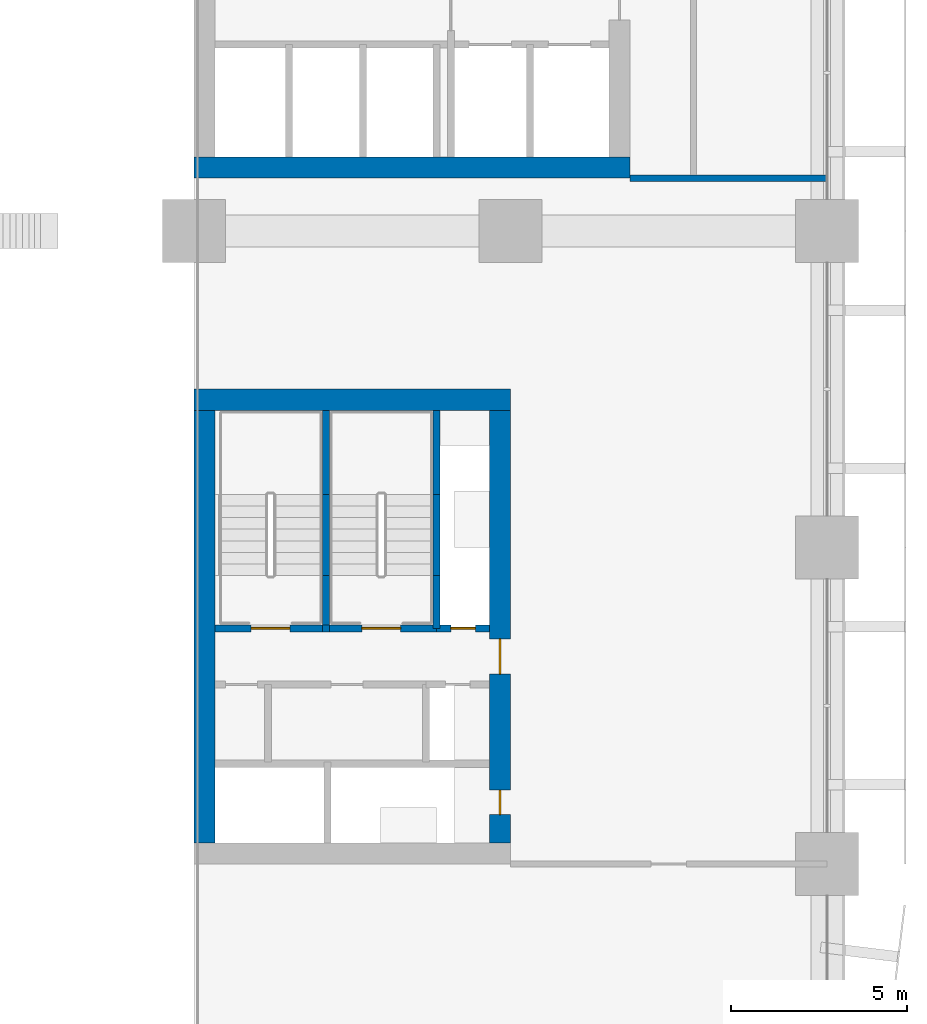
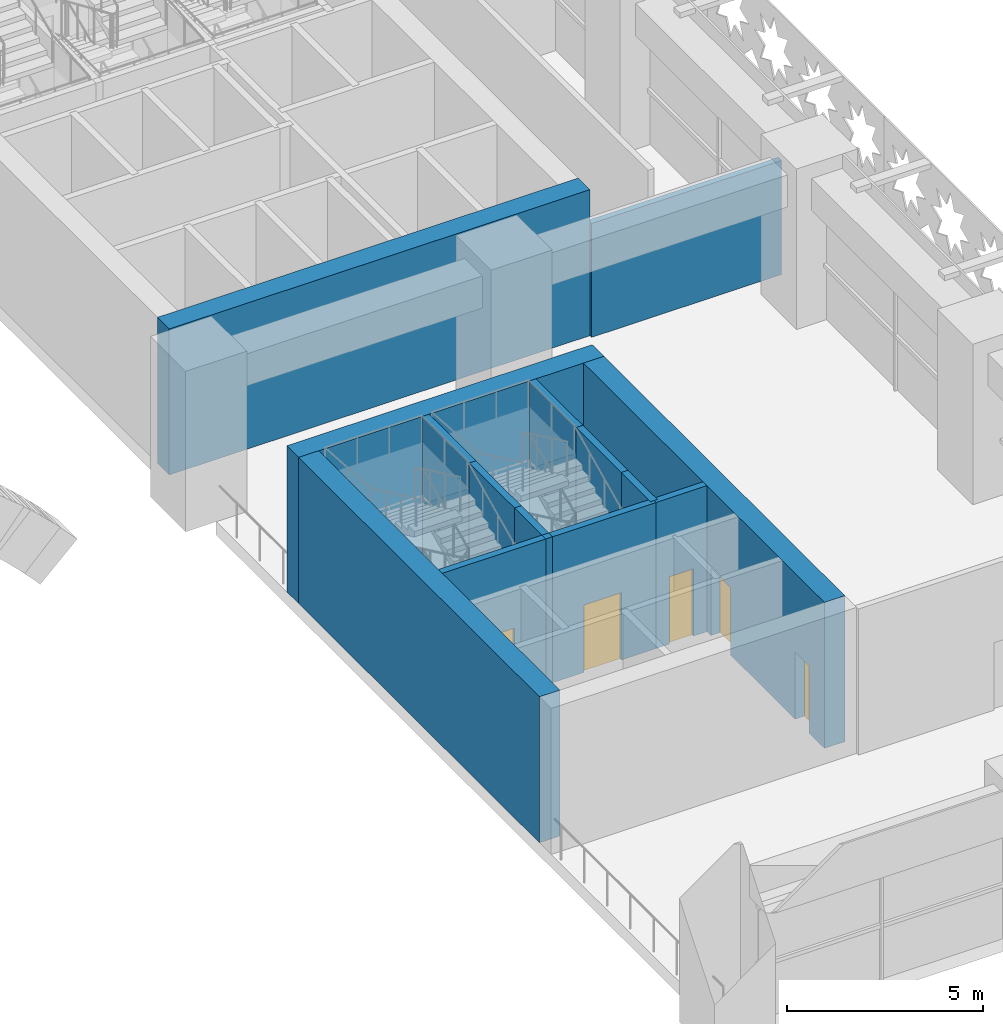
# One storey, part 18 of 40: 15 walls, 5 doors, 5 openings.
"""IFC4 building model written with IfcOpenShell, lengths in metres."""

from ifc_helpers import new_model, si_unit, direction, frame, frame_2d, origin, place, context, subcontext, project, spatial, rectangle, extrude, material, layer, layer_set, type_object, element, fill, save


model = new_model("IFC4")

# Units and contexts
model_context = context("Model", 3, precision=1e-05, world=origin(), true_north=direction((0.0, 1.0)))
body_context = subcontext(model_context, "Body", "Model", "MODEL_VIEW")
ifc_project = project(units=[si_unit("LENGTHUNIT", "METRE"), si_unit("AREAUNIT", "SQUARE_METRE"), si_unit("VOLUMEUNIT", "CUBIC_METRE"), si_unit("PLANEANGLEUNIT", "RADIAN"), si_unit("MASSUNIT", "GRAM", prefix="KILO")], contexts=[model_context])

# Site, building, storey
site_placement = place(None, origin())
site = spatial("IfcSite", under=ifc_project, at=site_placement, CompositionType="ELEMENT")
building_placement = place(site_placement, origin())
building = spatial("IfcBuilding", under=site, at=building_placement, Name="Tessera Arch", CompositionType="ELEMENT")
storey_placement = place(building_placement, frame((0.0, 0.0, 21.0)))
storey = spatial("IfcBuildingStorey", under=building, at=storey_placement, Name="L03", CompositionType="ELEMENT", Elevation=21.0)

# Walls
ifc_material_1 = material(Name="Concrete C70/85", Category="concrete")
ifc_layer_1 = layer(ifc_material_1, 0.60009765625)
ifc_layer_set_1 = layer_set([ifc_layer_1], Name="Core shell wall 600 C70-85")
wall_type_1 = type_object("IfcWallType", Name="Core shell wall 600 C70-85", PredefinedType="SHEAR", material=ifc_layer_set_1)
wall_1_placement = place(storey_placement, frame((36.0, 28.800048828125, 0.0), z_axis=(0.0, 0.0, 1.0), x_axis=(1.0, 0.0, 0.0)))
element("IfcWall", 1, at=wall_1_placement, inside=storey, type_object=wall_type_1, Name="L03 C1 core wall S", PredefinedType="SHEAR", context=body_context, shape_type="SweptSolid", body=[
    extrude(rectangle(XDim=12.39990234375, YDim=0.60009765625, at=frame_2d((6.199951171875, 0.0))), origin(), (0.0, 0.0, 1.0), 4.550048828125),
])
wall_2_placement = place(storey_placement, frame((36.0, 22.199951171875, 0.0), z_axis=(0.0, 0.0, 1.0), x_axis=(1.0, 0.0, 0.0)))
element("IfcWall", 2, at=wall_2_placement, inside=storey, type_object=wall_type_1, Name="L03 C3 core wall N", PredefinedType="SHEAR", context=body_context, shape_type="SweptSolid", body=[
    extrude(rectangle(XDim=9.0, YDim=0.60009765625, at=frame_2d((4.5, 0.0))), origin(), (0.0, 0.0, 1.0), 4.550048828125),
])
wall_3_placement = place(storey_placement, frame((36.300048828125, 9.60009765625, 0.0), z_axis=(0.0, 0.0, 1.0), x_axis=(0.0, 1.0, 0.0)))
element("IfcWall", 3, at=wall_3_placement, inside=storey, type_object=wall_type_1, Name="L03 C3 core wall W", PredefinedType="SHEAR", context=body_context, shape_type="SweptSolid", body=[
    extrude(rectangle(XDim=12.2998046875, YDim=0.60009765625, at=frame_2d((6.14990234375, 0.0))), origin(), (0.0, 0.0, 1.0), 4.550048828125),
])

# Wall, openings, doors
wall_4_placement = place(storey_placement, frame((44.699951171875, 9.60009765625, 0.0), z_axis=(0.0, 0.0, 1.0), x_axis=(0.0, 1.0, 0.0)))
wall_4 = element("IfcWall", 4, at=wall_4_placement, inside=storey, type_object=wall_type_1, Name="L03 C3 core wall E", PredefinedType="SHEAR", context=body_context, shape_type="SweptSolid", body=[
    extrude(rectangle(XDim=12.2998046875, YDim=0.60009765625, at=frame_2d((6.14990234375, 0.0))), origin(), (0.0, 0.0, 1.0), 4.550048828125),
])
opening_1_placement = place(wall_4_placement, frame((0.800048828125, 0.0, 0.0)))
opening_1 = element("IfcOpeningElement", 5, at=opening_1_placement, cuts=wall_4, Name="Opening L03-C33", PredefinedType="OPENING", context=body_context, shape_type="SweptSolid", body=[
    extrude(rectangle(XDim=0.699951171875, YDim=2.10009765625, at=frame_2d((0.35009765625, 1.050048828125))), frame((0.0, 0.31005859375, 0.0), z_axis=(0.0, -1.0, 0.0), x_axis=(1.0, 0.0, 0.0)), (0.0, 0.0, 1.0), 0.6201171875),
])
opening_2_placement = place(wall_4_placement, frame((4.800048828125, 0.0, 0.0)))
opening_2 = element("IfcOpeningElement", 6, at=opening_2_placement, cuts=wall_4, Name="Opening L03-C34", PredefinedType="OPENING", context=body_context, shape_type="SweptSolid", body=[
    extrude(rectangle(XDim=1.0, YDim=2.10009765625, at=frame_2d((0.5, 1.050048828125))), frame((0.0, 0.31005859375, 0.0), z_axis=(0.0, -1.0, 0.0), x_axis=(1.0, 0.0, 0.0)), (0.0, 0.0, 1.0), 0.6201171875),
])
ifc_material_2 = material(Name="Steel door leaf", Category="steel")
door_type_1 = type_object("IfcDoorType", Name="Corridor door FD60 1000 x 2100", OperationType="SINGLE_SWING_LEFT", PredefinedType="DOOR", material=ifc_material_2)
door_1_placement = place(opening_2_placement, origin())
door_1 = element("IfcDoor", 7, at=door_1_placement, inside=storey, type_object=door_type_1, Name="L03 C3 door 6 C34 type D12", OperationType="SINGLE_SWING_LEFT", OverallHeight=2.10009765625, OverallWidth=1.0, PredefinedType="DOOR", context=body_context, shape_type="SweptSolid", body=[
    extrude(rectangle(XDim=1.0, YDim=2.10009765625, at=frame_2d((0.5, 1.050048828125))), frame((0.0, 0.02490234375, 0.0), z_axis=(0.0, -1.0, 0.0), x_axis=(1.0, 0.0, 0.0)), (0.0, 0.0, 1.0), 0.050048828125),
])
fill(opening_2, door_1)
ifc_material_3 = material(Name="Steel door leaf", Category="steel")
door_type_2 = type_object("IfcDoorType", Name="Service shaft door FD60 700 x 2100", OperationType="SINGLE_SWING_LEFT", PredefinedType="DOOR", material=ifc_material_3)
door_2_placement = place(opening_1_placement, origin())
door_2 = element("IfcDoor", 8, at=door_2_placement, inside=storey, type_object=door_type_2, Name="L03 C3 door 5 C33 type D07", OperationType="SINGLE_SWING_LEFT", OverallHeight=2.10009765625, OverallWidth=0.699951171875, PredefinedType="DOOR", context=body_context, shape_type="SweptSolid", body=[
    extrude(rectangle(XDim=0.699951171875, YDim=2.10009765625, at=frame_2d((0.35009765625, 1.050048828125))), frame((0.0, 0.02490234375, 0.0), z_axis=(0.0, -1.0, 0.0), x_axis=(1.0, 0.0, 0.0)), (0.0, 0.0, 1.0), 0.050048828125),
])
fill(opening_1, door_2)

# Wall
ifc_material_4 = material(Name="Gypsum board on deep steel stud with mineral wool", Category="steel")
ifc_layer_2 = layer(ifc_material_4, 0.175048828125)
ifc_layer_set_2 = layer_set([ifc_layer_2], Name="Corridor wall 175 EI 60")
wall_type_2 = type_object("IfcWallType", Name="Corridor wall 175 EI 60", PredefinedType="PARTITIONING", material=ifc_layer_set_2)
wall_5_placement = place(storey_placement, frame((48.39990234375, 28.5, 0.0), z_axis=(0.0, 0.0, 1.0), x_axis=(1.0, 0.0, 0.0)))
element("IfcWall", 9, at=wall_5_placement, inside=storey, type_object=wall_type_2, Name="L03 partition 8", PredefinedType="PARTITIONING", context=body_context, shape_type="SweptSolid", body=[
    extrude(rectangle(XDim=5.60009765625, YDim=0.175048828125, at=frame_2d((2.800048828125, 0.0))), origin(), (0.0, 0.0, 1.0), 3.550048828125),
])

# Wall, opening, door
ifc_material_5 = material(Name="Concrete C40/50", Category="concrete")
ifc_layer_3 = layer(ifc_material_5, 0.199951171875)
ifc_layer_set_3 = layer_set([ifc_layer_3], Name="Shaft wall 200 EI 120")
wall_type_3 = type_object("IfcWallType", Name="Shaft wall 200 EI 120", PredefinedType="SOLIDWALL", material=ifc_layer_set_3)
wall_6_placement = place(storey_placement, frame((42.89990234375, 15.699951171875, 0.0), z_axis=(0.0, 0.0, 1.0), x_axis=(1.0, 0.0, 0.0)))
wall_6 = element("IfcWall", 10, at=wall_6_placement, inside=storey, type_object=wall_type_3, Name="L03 C3 shaft wall 13", PredefinedType="SOLIDWALL", context=body_context, shape_type="SweptSolid", body=[
    extrude(rectangle(XDim=1.5, YDim=0.199951171875, at=frame_2d((0.75, 0.0))), origin(), (0.0, 0.0, 1.0), 4.550048828125),
])
opening_3_placement = place(wall_6_placement, frame((0.39990234375, 0.0, 0.0)))
opening_3 = element("IfcOpeningElement", 11, at=opening_3_placement, cuts=wall_6, Name="Opening L03-C31", PredefinedType="OPENING", context=body_context, shape_type="SweptSolid", body=[
    extrude(rectangle(XDim=0.699951171875, YDim=2.10009765625, at=frame_2d((0.35009765625, 1.050048828125))), frame((0.0, 0.10986328125, 0.0), z_axis=(0.0, -1.0, 0.0), x_axis=(1.0, 0.0, 0.0)), (0.0, 0.0, 1.0), 0.219970703125),
])
door_3_placement = place(opening_3_placement, origin())
door_3 = element("IfcDoor", 12, at=door_3_placement, inside=storey, type_object=door_type_2, Name="L03 C3 door 3 C31 type D07", OperationType="SINGLE_SWING_LEFT", OverallHeight=2.10009765625, OverallWidth=0.699951171875, PredefinedType="DOOR", context=body_context, shape_type="SweptSolid", body=[
    extrude(rectangle(XDim=0.699951171875, YDim=2.10009765625, at=frame_2d((0.35009765625, 1.050048828125))), frame((0.0, 0.02490234375, 0.0), z_axis=(0.0, -1.0, 0.0), x_axis=(1.0, 0.0, 0.0)), (0.0, 0.0, 1.0), 0.050048828125),
])
fill(opening_3, door_3)

# Walls
ifc_material_6 = material(Name="Concrete C40/50", Category="concrete")
ifc_layer_4 = layer(ifc_material_6, 0.199951171875)
ifc_layer_set_4 = layer_set([ifc_layer_4], Name="Stair well wall 200 REI 180")
wall_type_4 = type_object("IfcWallType", Name="Stair well wall 200 REI 180", PredefinedType="SOLIDWALL", material=ifc_layer_set_4)
wall_7_placement = place(storey_placement, frame((39.75, 15.699951171875, 0.0), z_axis=(0.0, 0.0, 1.0), x_axis=(0.0, 1.0, 0.0)))
element("IfcWall", 13, at=wall_7_placement, inside=storey, type_object=wall_type_4, Name="L03 C3 shaft wall 2", PredefinedType="SOLIDWALL", context=body_context, shape_type="SweptSolid", body=[
    extrude(rectangle(XDim=1.5, YDim=0.199951171875, at=frame_2d((0.75, 0.0))), origin(), (0.0, 0.0, 1.0), 4.550048828125),
])
wall_8_placement = place(storey_placement, frame((39.75, 17.199951171875, 0.0), z_axis=(0.0, 0.0, 1.0), x_axis=(0.0, 1.0, 0.0)))
element("IfcWall", 14, at=wall_8_placement, inside=storey, type_object=wall_type_4, Name="L03 C3 shaft wall 3", PredefinedType="SOLIDWALL", context=body_context, shape_type="SweptSolid", body=[
    extrude(rectangle(XDim=2.31005859375, YDim=0.199951171875, at=frame_2d((1.155029296875, 0.0))), origin(), (0.0, 0.0, 1.0), 4.550048828125),
])
wall_9_placement = place(storey_placement, frame((39.75, 19.510009765625, 0.0), z_axis=(0.0, 0.0, 1.0), x_axis=(0.0, 1.0, 0.0)))
element("IfcWall", 15, at=wall_9_placement, inside=storey, type_object=wall_type_4, Name="L03 C3 shaft wall 4", PredefinedType="SOLIDWALL", context=body_context, shape_type="SweptSolid", body=[
    extrude(rectangle(XDim=2.389892578125, YDim=0.199951171875, at=frame_2d((1.19482421875, 0.0))), origin(), (0.0, 0.0, 1.0), 4.550048828125),
])
wall_10_placement = place(storey_placement, frame((42.89990234375, 15.699951171875, 0.0), z_axis=(0.0, 0.0, 1.0), x_axis=(0.0, 1.0, 0.0)))
element("IfcWall", 16, at=wall_10_placement, inside=storey, type_object=wall_type_4, Name="L03 C3 shaft wall 7", PredefinedType="SOLIDWALL", context=body_context, shape_type="SweptSolid", body=[
    extrude(rectangle(XDim=1.5, YDim=0.199951171875, at=frame_2d((0.75, 0.0))), origin(), (0.0, 0.0, 1.0), 4.550048828125),
])
wall_11_placement = place(storey_placement, frame((42.89990234375, 17.199951171875, 0.0), z_axis=(0.0, 0.0, 1.0), x_axis=(0.0, 1.0, 0.0)))
element("IfcWall", 17, at=wall_11_placement, inside=storey, type_object=wall_type_4, Name="L03 C3 shaft wall 8", PredefinedType="SOLIDWALL", context=body_context, shape_type="SweptSolid", body=[
    extrude(rectangle(XDim=2.31005859375, YDim=0.199951171875, at=frame_2d((1.155029296875, 0.0))), origin(), (0.0, 0.0, 1.0), 4.550048828125),
])
wall_12_placement = place(storey_placement, frame((42.89990234375, 19.510009765625, 0.0), z_axis=(0.0, 0.0, 1.0), x_axis=(0.0, 1.0, 0.0)))
element("IfcWall", 18, at=wall_12_placement, inside=storey, type_object=wall_type_4, Name="L03 C3 shaft wall 9", PredefinedType="SOLIDWALL", context=body_context, shape_type="SweptSolid", body=[
    extrude(rectangle(XDim=2.389892578125, YDim=0.199951171875, at=frame_2d((1.19482421875, 0.0))), origin(), (0.0, 0.0, 1.0), 4.550048828125),
])

# Wall, opening, door
wall_13_placement = place(storey_placement, frame((36.60009765625, 15.699951171875, 0.0), z_axis=(0.0, 0.0, 1.0), x_axis=(1.0, 0.0, 0.0)))
wall_13 = element("IfcWall", 19, at=wall_13_placement, inside=storey, type_object=wall_type_4, Name="L03 C3 shaft wall 14", PredefinedType="SOLIDWALL", context=body_context, shape_type="SweptSolid", body=[
    extrude(rectangle(XDim=3.0498046875, YDim=0.199951171875, at=frame_2d((1.52490234375, 0.0))), origin(), (0.0, 0.0, 1.0), 4.550048828125),
])
opening_4_placement = place(wall_13_placement, frame((1.02490234375, 0.0, 0.0)))
opening_4 = element("IfcOpeningElement", 20, at=opening_4_placement, cuts=wall_13, Name="Opening L03-C29", PredefinedType="OPENING", context=body_context, shape_type="SweptSolid", body=[
    extrude(rectangle(XDim=1.10009765625, YDim=2.10009765625, at=frame_2d((0.550048828125, 1.050048828125))), frame((0.0, 0.10986328125, 0.0), z_axis=(0.0, -1.0, 0.0), x_axis=(1.0, 0.0, 0.0)), (0.0, 0.0, 1.0), 0.219970703125),
])
ifc_material_7 = material(Name="Steel door leaf", Category="steel")
door_type_3 = type_object("IfcDoorType", Name="Stair door FD60 1100 x 2100", OperationType="SINGLE_SWING_LEFT", PredefinedType="DOOR", material=ifc_material_7)
door_4_placement = place(opening_4_placement, origin())
door_4 = element("IfcDoor", 21, at=door_4_placement, inside=storey, type_object=door_type_3, Name="L03 C3 door 1 C29 type D05", OperationType="SINGLE_SWING_RIGHT", OverallHeight=2.10009765625, OverallWidth=1.10009765625, PredefinedType="DOOR", context=body_context, shape_type="SweptSolid", body=[
    extrude(rectangle(XDim=1.10009765625, YDim=2.10009765625, at=frame_2d((0.550048828125, 1.050048828125))), frame((0.0, 0.02490234375, 0.0), z_axis=(0.0, -1.0, 0.0), x_axis=(1.0, 0.0, 0.0)), (0.0, 0.0, 1.0), 0.050048828125),
])
fill(opening_4, door_4)

# Wall
wall_14_placement = place(storey_placement, frame((39.64990234375, 15.699951171875, 0.0), z_axis=(0.0, 0.0, 1.0), x_axis=(1.0, 0.0, 0.0)))
element("IfcWall", 22, at=wall_14_placement, inside=storey, type_object=wall_type_4, Name="L03 C3 shaft wall 15", PredefinedType="SOLIDWALL", context=body_context, shape_type="SweptSolid", body=[
    extrude(rectangle(XDim=0.2001953125, YDim=0.199951171875, at=frame_2d((0.10009765625, 0.0))), origin(), (0.0, 0.0, 1.0), 4.550048828125),
])

# Wall, opening, door
wall_15_placement = place(storey_placement, frame((39.85009765625, 15.699951171875, 0.0), z_axis=(0.0, 0.0, 1.0), x_axis=(1.0, 0.0, 0.0)))
wall_15 = element("IfcWall", 23, at=wall_15_placement, inside=storey, type_object=wall_type_4, Name="L03 C3 shaft wall 16", PredefinedType="SOLIDWALL", context=body_context, shape_type="SweptSolid", body=[
    extrude(rectangle(XDim=3.0498046875, YDim=0.199951171875, at=frame_2d((1.52490234375, 0.0))), origin(), (0.0, 0.0, 1.0), 4.550048828125),
])
opening_5_placement = place(wall_15_placement, frame((0.925048828125, 0.0, 0.0)))
opening_5 = element("IfcOpeningElement", 24, at=opening_5_placement, cuts=wall_15, Name="Opening L03-C30", PredefinedType="OPENING", context=body_context, shape_type="SweptSolid", body=[
    extrude(rectangle(XDim=1.10009765625, YDim=2.10009765625, at=frame_2d((0.550048828125, 1.050048828125))), frame((0.0, 0.10986328125, 0.0), z_axis=(0.0, -1.0, 0.0), x_axis=(1.0, 0.0, 0.0)), (0.0, 0.0, 1.0), 0.219970703125),
])
door_5_placement = place(opening_5_placement, origin())
door_5 = element("IfcDoor", 25, at=door_5_placement, inside=storey, type_object=door_type_3, Name="L03 C3 door 2 C30 type D05", OperationType="SINGLE_SWING_LEFT", OverallHeight=2.10009765625, OverallWidth=1.10009765625, PredefinedType="DOOR", context=body_context, shape_type="SweptSolid", body=[
    extrude(rectangle(XDim=1.10009765625, YDim=2.10009765625, at=frame_2d((0.550048828125, 1.050048828125))), frame((0.0, 0.02490234375, 0.0), z_axis=(0.0, -1.0, 0.0), x_axis=(1.0, 0.0, 0.0)), (0.0, 0.0, 1.0), 0.050048828125),
])
fill(opening_5, door_5)

save(model, "model.ifc")
